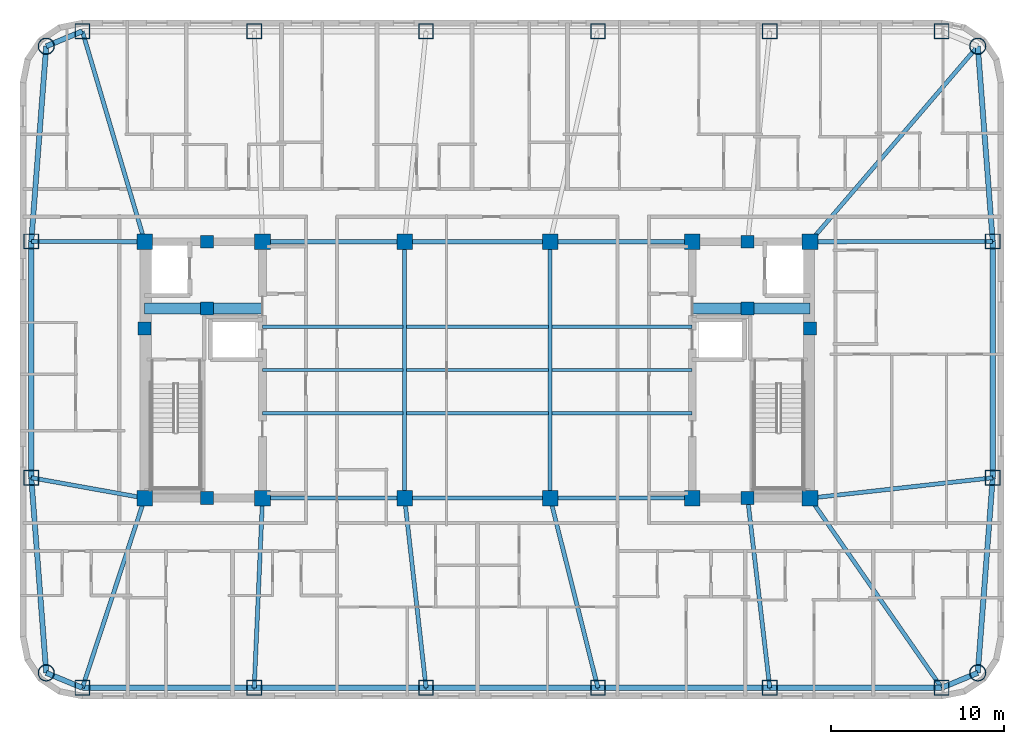
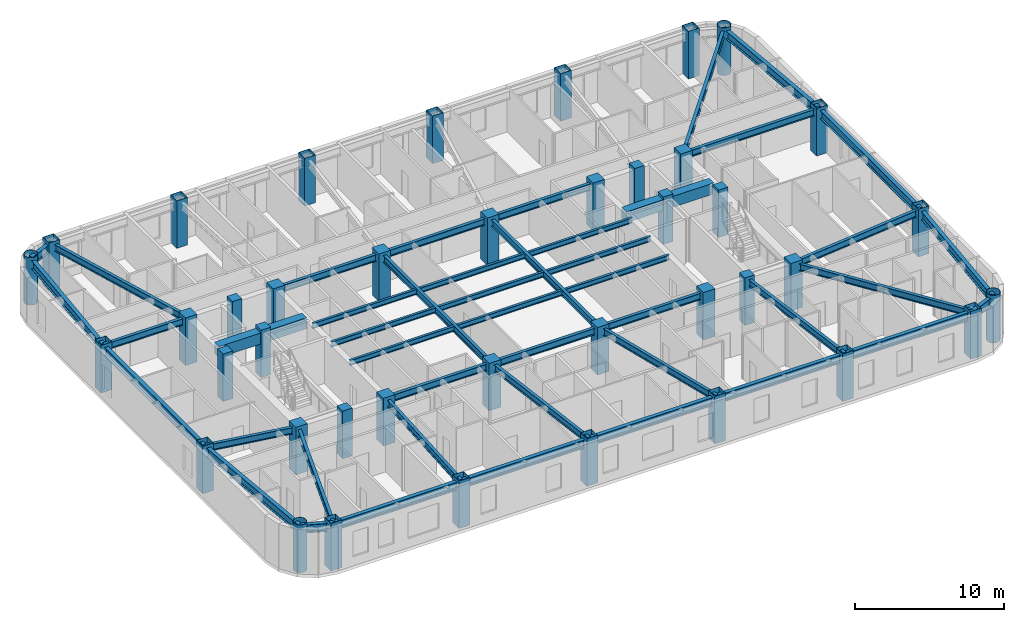
# One storey, part 1 of 11: 45 beams, 40 columns.
"""IFC4 building model written with IfcOpenShell, lengths in metres."""

from ifc_helpers import new_model, si_unit, direction, frame, origin, origin_2d, place, context, subcontext, project, spatial, rectangle, hollow_rectangle, hollow_circle, i_section, extrude, material, material_profile, profile_set, type_object, element, save


model = new_model("IFC4")

# Units and contexts
model_context = context("Model", 3, precision=1e-05, world=origin(), true_north=direction((0.0, 1.0)))
body_context = subcontext(model_context, "Body", "Model", "MODEL_VIEW")
ifc_project = project(units=[si_unit("LENGTHUNIT", "METRE"), si_unit("AREAUNIT", "SQUARE_METRE"), si_unit("VOLUMEUNIT", "CUBIC_METRE"), si_unit("PLANEANGLEUNIT", "RADIAN"), si_unit("MASSUNIT", "GRAM", prefix="KILO")], contexts=[model_context])

# Site, building, storey
site_placement = place(None, origin())
site = spatial("IfcSite", under=ifc_project, at=site_placement, CompositionType="ELEMENT")
building_placement = place(site_placement, origin())
building = spatial("IfcBuilding", under=site, at=building_placement, Name="Voryun Gate Residences", CompositionType="ELEMENT")
storey_placement = place(building_placement, frame((0.0, 0.0, 239.199951171875)))
storey = spatial("IfcBuildingStorey", under=building, at=storey_placement, Name="L59", CompositionType="ELEMENT", Elevation=239.199951171875)

# Columns
ifc_material_1 = material(Name="Concrete C50/60", Category="concrete")
ifc_material_profile_1 = material_profile(ifc_material_1, rectangle(XDim=0.75, YDim=0.75, at=origin_2d()), Name="RC-750x750")
ifc_profile_set_1 = profile_set([ifc_material_profile_1], Name="Concrete C50/60")
column_type_1 = type_object("IfcColumnType", Name="COL_CORE_750", PredefinedType="COLUMN", material=ifc_profile_set_1)
for number, where, z_axis, x_axis, name in (
    (1, (-19.199951171875, 2.39990234375, 0.0), (0.0, 0.0, 1.0), (1.0, 0.0, 0.0), "L59 Core boundary column WC-MW"),
    (2, (-15.60009765625, -7.39990234375, 0.0), (0.0, 0.0, 1.0), (1.0, 0.0, 0.0), "L59 Core boundary column WC-SM"),
    (3, (-15.60009765625, 7.39990234375, 0.0), (0.0, 0.0, 1.0), (1.0, 0.0, 0.0), "L59 Core boundary column WC-NM"),
    (4, (-15.60009765625, 3.550048828125, 0.0), (0.0, 0.0, 1.0), (1.0, 0.0, 0.0), "L59 Core boundary column WC-MM"),
    (5, (15.60009765625, 3.550048828125, 0.0), (0.0, 0.0, 1.0), (1.0, 0.0, 0.0), "L59 Core boundary column EC-MM"),
    (6, (15.60009765625, -7.39990234375, 0.0), (0.0, 0.0, 1.0), (1.0, 0.0, 0.0), "L59 Core boundary column EC-SM"),
    (7, (15.60009765625, 7.39990234375, 0.0), (0.0, 0.0, 1.0), (1.0, 0.0, 0.0), "L59 Core boundary column EC-NM"),
    (8, (19.199951171875, 2.39990234375, 0.0), (0.0, 0.0, 1.0), (1.0, 0.0, 0.0), "L59 Core boundary column EC-ME"),
):
    element("IfcColumn", number, at=place(storey_placement, frame(where, z_axis=z_axis, x_axis=x_axis)), inside=storey, type_object=column_type_1, Name=name, PredefinedType="COLUMN", context=body_context, shape_type="SweptSolid", body=[
        extrude(rectangle(XDim=0.75, YDim=0.75, at=origin_2d()), origin(), (0.0, 0.0, 1.0), 3.900146484375),
    ])
ifc_material_2 = material(Name="Concrete C50/60", Category="concrete")
ifc_material_profile_2 = material_profile(ifc_material_2, rectangle(XDim=0.89990234375, YDim=0.89990234375, at=origin_2d()), Name="RC-900x900")
ifc_profile_set_2 = profile_set([ifc_material_profile_2], Name="Concrete C50/60")
column_type_2 = type_object("IfcColumnType", Name="COL_CORE_900", PredefinedType="COLUMN", material=ifc_profile_set_2)
for number, where, z_axis, x_axis, name in (
    (9, (-19.199951171875, -7.39990234375, 0.0), (0.0, 0.0, 1.0), (1.0, 0.0, 0.0), "L59 Core boundary column WC-SW"),
    (10, (-19.199951171875, 7.39990234375, 0.0), (0.0, 0.0, 1.0), (1.0, 0.0, 0.0), "L59 Core boundary column WC-NW"),
    (11, (-12.39990234375, -7.39990234375, 0.0), (0.0, 0.0, 1.0), (1.0, 0.0, 0.0), "L59 Core boundary column WC-SE"),
    (12, (-12.39990234375, 7.39990234375, 0.0), (0.0, 0.0, 1.0), (1.0, 0.0, 0.0), "L59 Core boundary column WC-NE"),
    (13, (12.39990234375, -7.39990234375, 0.0), (0.0, 0.0, 1.0), (1.0, 0.0, 0.0), "L59 Core boundary column EC-SW"),
    (14, (12.39990234375, 7.39990234375, 0.0), (0.0, 0.0, 1.0), (1.0, 0.0, 0.0), "L59 Core boundary column EC-NW"),
    (15, (19.199951171875, -7.39990234375, 0.0), (0.0, 0.0, 1.0), (1.0, 0.0, 0.0), "L59 Core boundary column EC-SE"),
    (16, (19.199951171875, 7.39990234375, 0.0), (0.0, 0.0, 1.0), (1.0, 0.0, 0.0), "L59 Core boundary column EC-NE"),
    (17, (-4.199951171875, -7.39990234375, 0.0), (0.0, 0.0, 1.0), (1.0, 0.0, 0.0), "L59 Interior spine column SP-WS"),
    (18, (-4.199951171875, 7.39990234375, 0.0), (0.0, 0.0, 1.0), (1.0, 0.0, 0.0), "L59 Interior spine column SP-WN"),
    (19, (4.199951171875, -7.39990234375, 0.0), (0.0, 0.0, 1.0), (1.0, 0.0, 0.0), "L59 Interior spine column SP-ES"),
    (20, (4.199951171875, 7.39990234375, 0.0), (0.0, 0.0, 1.0), (1.0, 0.0, 0.0), "L59 Interior spine column SP-EN"),
):
    element("IfcColumn", number, at=place(storey_placement, frame(where, z_axis=z_axis, x_axis=x_axis)), inside=storey, type_object=column_type_2, Name=name, PredefinedType="COLUMN", context=body_context, shape_type="SweptSolid", body=[
        extrude(rectangle(XDim=0.89990234375, YDim=0.89990234375, at=origin_2d()), origin(), (0.0, 0.0, 1.0), 3.900146484375),
    ])
ifc_material_3 = material(Name="Steel SM420", Category="steel")
ifc_material_profile_3 = material_profile(ifc_material_3, hollow_circle(Radius=0.47509765625, WallThickness=0.031982421875, at=origin_2d()), Name="CHS-950x32")
ifc_profile_set_3 = profile_set([ifc_material_profile_3], Name="Steel SM420")
column_type_3 = type_object("IfcColumnType", Name="COL_CRN_950", PredefinedType="COLUMN", material=ifc_profile_set_3)
for number, where, z_axis, x_axis, name in (
    (21, (28.885986328125, -17.486083984375, 0.0), (0.0, 0.0, 1.0), (1.0, 0.0, 0.0), "L59 Exoskeleton column CSE"),
    (22, (28.885986328125, 18.68603515625, 0.0), (0.0, 0.0, 1.0), (1.0, 0.0, 0.0), "L59 Exoskeleton column CNE"),
    (23, (-24.885986328125, 18.68603515625, 0.0), (0.0, 0.0, 1.0), (1.0, 0.0, 0.0), "L59 Exoskeleton column CNW"),
    (24, (-24.885986328125, -17.486083984375, 0.0), (0.0, 0.0, 1.0), (1.0, 0.0, 0.0), "L59 Exoskeleton column CSW"),
):
    element("IfcColumn", number, at=place(storey_placement, frame(where, z_axis=z_axis, x_axis=x_axis)), inside=storey, type_object=column_type_3, Name=name, PredefinedType="COLUMN", context=body_context, shape_type="SweptSolid", body=[
        extrude(hollow_circle(Radius=0.47509765625, WallThickness=0.031982421875, at=origin_2d()), origin(), (0.0, 0.0, 1.0), 3.900146484375),
    ])
ifc_material_4 = material(Name="Steel SM355", Category="steel")
ifc_material_profile_4 = material_profile(ifc_material_4, hollow_rectangle(XDim=0.85009765625, YDim=0.85009765625, WallThickness=0.028076171875, at=origin_2d()), Name="BOX-850x850x28")
ifc_profile_set_4 = profile_set([ifc_material_profile_4], Name="Steel SM355")
column_type_4 = type_object("IfcColumnType", Name="COL_EXO_B4", PredefinedType="COLUMN", material=ifc_profile_set_4)
for number, where, z_axis, x_axis, name in (
    (25, (-22.800048828125, -18.35009765625, 0.0), (0.0, 0.0, 1.0), (1.0, 0.0, 0.0), "L59 Exoskeleton column S1"),
    (26, (-12.8798828125, -18.35009765625, 0.0), (0.0, 0.0, 1.0), (1.0, 0.0, 0.0), "L59 Exoskeleton column S2"),
    (27, (-2.9599609375, -18.35009765625, 0.0), (0.0, 0.0, 1.0), (1.0, 0.0, 0.0), "L59 Exoskeleton column S3"),
    (28, (6.9599609375, -18.35009765625, 0.0), (0.0, 0.0, 1.0), (1.0, 0.0, 0.0), "L59 Exoskeleton column S4"),
    (29, (16.8798828125, -18.35009765625, 0.0), (0.0, 0.0, 1.0), (1.0, 0.0, 0.0), "L59 Exoskeleton column S5"),
    (30, (26.800048828125, -18.35009765625, 0.0), (0.0, 0.0, 1.0), (1.0, 0.0, 0.0), "L59 Exoskeleton column S6"),
    (31, (29.75, -6.221923828125, 0.0), (0.0, 0.0, 1.0), (1.0, 0.0, 0.0), "L59 Exoskeleton column E1"),
    (32, (29.75, 7.422119140625, 0.0), (0.0, 0.0, 1.0), (1.0, 0.0, 0.0), "L59 Exoskeleton column E2"),
    (33, (26.800048828125, 19.550048828125, 0.0), (0.0, 0.0, 1.0), (1.0, 0.0, 0.0), "L59 Exoskeleton column N1"),
    (34, (16.8798828125, 19.550048828125, 0.0), (0.0, 0.0, 1.0), (1.0, 0.0, 0.0), "L59 Exoskeleton column N2"),
    (35, (6.9599609375, 19.550048828125, 0.0), (0.0, 0.0, 1.0), (1.0, 0.0, 0.0), "L59 Exoskeleton column N3"),
    (36, (-2.9599609375, 19.550048828125, 0.0), (0.0, 0.0, 1.0), (1.0, 0.0, 0.0), "L59 Exoskeleton column N4"),
    (37, (-12.8798828125, 19.550048828125, 0.0), (0.0, 0.0, 1.0), (1.0, 0.0, 0.0), "L59 Exoskeleton column N5"),
    (38, (-22.800048828125, 19.550048828125, 0.0), (0.0, 0.0, 1.0), (1.0, 0.0, 0.0), "L59 Exoskeleton column N6"),
    (39, (-25.75, 7.422119140625, 0.0), (0.0, 0.0, 1.0), (1.0, 0.0, 0.0), "L59 Exoskeleton column W1"),
    (40, (-25.75, -6.221923828125, 0.0), (0.0, 0.0, 1.0), (1.0, 0.0, 0.0), "L59 Exoskeleton column W2"),
):
    element("IfcColumn", number, at=place(storey_placement, frame(where, z_axis=z_axis, x_axis=x_axis)), inside=storey, type_object=column_type_4, Name=name, PredefinedType="COLUMN", context=body_context, shape_type="SweptSolid", body=[
        extrude(hollow_rectangle(XDim=0.85009765625, YDim=0.85009765625, WallThickness=0.028076171875, at=origin_2d()), origin(), (0.0, 0.0, 1.0), 3.900146484375),
    ])

# Beams
ifc_material_5 = material(Name="Concrete C60/75", Category="concrete")
ifc_material_profile_5 = material_profile(ifc_material_5, rectangle(XDim=0.64990234375, YDim=0.89990234375, at=origin_2d()), Name="RC-650x900")
ifc_profile_set_5 = profile_set([ifc_material_profile_5], Name="Concrete C60/75")
beam_type_1 = type_object("IfcBeamType", Name="BM_COUP_RC900", PredefinedType="LINTEL", material=ifc_profile_set_5)
for number, where, z_axis, x_axis, name in (
    (41, (-19.199951171875, 3.550048828125, 3.199951171875), (1.0, 0.0, 0.0), (0.0, 1.0, 0.0), "BM-L59-WC1"),
    (42, (12.39990234375, 3.550048828125, 3.199951171875), (1.0, 0.0, 0.0), (0.0, 1.0, 0.0), "BM-L59-EC1"),
):
    element("IfcBeam", number, at=place(storey_placement, frame(where, z_axis=z_axis, x_axis=x_axis)), inside=storey, type_object=beam_type_1, Name=name, PredefinedType="LINTEL", context=body_context, shape_type="SweptSolid", body=[
        extrude(rectangle(XDim=0.64990234375, YDim=0.89990234375, at=origin_2d()), origin(), (0.0, 0.0, 1.0), 6.800048828125),
    ])
ifc_material_6 = material(Name="Steel SM355", Category="steel")
ifc_material_profile_6 = material_profile(ifc_material_6, i_section(OverallWidth=0.300048828125, OverallDepth=0.679931640625, WebThickness=0.013916015625, FlangeThickness=0.02490234375, FilletRadius=0.01806640625, at=origin_2d()), Name="H-680x300x14x25")
ifc_profile_set_6 = profile_set([ifc_material_profile_6], Name="Steel SM355")
beam_type_2 = type_object("IfcBeamType", Name="BM_EXO_SPANDREL_M", PredefinedType="SPANDREL", material=ifc_profile_set_6)
beam_1_placement = place(storey_placement, frame((-22.800048828125, -18.35009765625, 3.31005859375), z_axis=(1.0, 0.0, 0.0), x_axis=(0.0, 1.0, 0.0)))
element("IfcBeam", 43, at=beam_1_placement, inside=storey, type_object=beam_type_2, Name="BM-L59-SPAND-01", PredefinedType="SPANDREL", context=body_context, shape_type="SweptSolid", body=[
    extrude(i_section(OverallWidth=0.300048828125, OverallDepth=0.679931640625, WebThickness=0.013916015625, FlangeThickness=0.02490234375, FilletRadius=0.01806640625, at=origin_2d()), origin(), (0.0, 0.0, 1.0), 9.920166015625),
])
for number, where, z_axis, x_axis, name in (
    (44, (-12.8798828125, -18.35009765625, 3.31005859375), (1.0, 0.0, 0.0), (0.0, 1.0, 0.0), "BM-L59-SPAND-02"),
    (45, (-2.9599609375, -18.35009765625, 3.31005859375), (1.0, 0.0, 0.0), (0.0, 1.0, 0.0), "BM-L59-SPAND-03"),
    (46, (6.9599609375, -18.35009765625, 3.31005859375), (1.0, 0.0, 0.0), (0.0, 1.0, 0.0), "BM-L59-SPAND-04"),
):
    element("IfcBeam", number, at=place(storey_placement, frame(where, z_axis=z_axis, x_axis=x_axis)), inside=storey, type_object=beam_type_2, Name=name, PredefinedType="SPANDREL", context=body_context, shape_type="SweptSolid", body=[
        extrude(i_section(OverallWidth=0.300048828125, OverallDepth=0.679931640625, WebThickness=0.013916015625, FlangeThickness=0.02490234375, FilletRadius=0.01806640625, at=origin_2d()), origin(), (0.0, 0.0, 1.0), 9.919921875),
    ])
beam_2_placement = place(storey_placement, frame((16.8798828125, -18.35009765625, 3.31005859375), z_axis=(1.0, 0.0, 0.0), x_axis=(0.0, 1.0, 0.0)))
element("IfcBeam", 47, at=beam_2_placement, inside=storey, type_object=beam_type_2, Name="BM-L59-SPAND-05", PredefinedType="SPANDREL", context=body_context, shape_type="SweptSolid", body=[
    extrude(i_section(OverallWidth=0.300048828125, OverallDepth=0.679931640625, WebThickness=0.013916015625, FlangeThickness=0.02490234375, FilletRadius=0.01806640625, at=origin_2d()), origin(), (0.0, 0.0, 1.0), 9.920166015625),
])
beam_3_placement = place(storey_placement, frame((26.800048828125, -18.35009765625, 3.31005859375), z_axis=(0.923881087602, 0.382679678022, 0.0), x_axis=(-0.382679678022, 0.923881087602, 0.0)))
element("IfcBeam", 48, at=beam_3_placement, inside=storey, type_object=beam_type_2, Name="BM-L59-SPAND-06", PredefinedType="SPANDREL", context=body_context, shape_type="SweptSolid", body=[
    extrude(i_section(OverallWidth=0.300048828125, OverallDepth=0.679931640625, WebThickness=0.013916015625, FlangeThickness=0.02490234375, FilletRadius=0.01806640625, at=origin_2d()), origin(), (0.0, 0.0, 1.0), 2.2578125),
])
beam_4_placement = place(storey_placement, frame((28.885986328125, -17.486083984375, 3.31005859375), z_axis=(0.076480009441, 0.997071114894, 0.0), x_axis=(-0.997071114894, 0.076480009441, 0.0)))
element("IfcBeam", 49, at=beam_4_placement, inside=storey, type_object=beam_type_2, Name="BM-L59-SPAND-07", PredefinedType="SPANDREL", context=body_context, shape_type="SweptSolid", body=[
    extrude(i_section(OverallWidth=0.300048828125, OverallDepth=0.679931640625, WebThickness=0.013916015625, FlangeThickness=0.02490234375, FilletRadius=0.01806640625, at=origin_2d()), origin(), (0.0, 0.0, 1.0), 11.29736328125),
])
beam_5_placement = place(storey_placement, frame((29.75, -6.221923828125, 3.31005859375), z_axis=(0.0, 1.0, 0.0), x_axis=(-1.0, 0.0, 0.0)))
element("IfcBeam", 50, at=beam_5_placement, inside=storey, type_object=beam_type_2, Name="BM-L59-SPAND-08", PredefinedType="SPANDREL", context=body_context, shape_type="SweptSolid", body=[
    extrude(i_section(OverallWidth=0.300048828125, OverallDepth=0.679931640625, WebThickness=0.013916015625, FlangeThickness=0.02490234375, FilletRadius=0.01806640625, at=origin_2d()), origin(), (0.0, 0.0, 1.0), 13.64404296875),
])
beam_6_placement = place(storey_placement, frame((29.75, 7.422119140625, 3.31005859375), z_axis=(-0.076481657417, 0.997070988485, 0.0), x_axis=(-0.997070988485, -0.076481657417, 0.0)))
element("IfcBeam", 51, at=beam_6_placement, inside=storey, type_object=beam_type_2, Name="BM-L59-SPAND-09", PredefinedType="SPANDREL", context=body_context, shape_type="SweptSolid", body=[
    extrude(i_section(OverallWidth=0.300048828125, OverallDepth=0.679931640625, WebThickness=0.013916015625, FlangeThickness=0.02490234375, FilletRadius=0.01806640625, at=origin_2d()), origin(), (0.0, 0.0, 1.0), 11.297119140625),
])
beam_7_placement = place(storey_placement, frame((-22.800048828125, 19.550048828125, 3.31005859375), z_axis=(-0.923881087602, -0.382679678022, 0.0), x_axis=(0.382679678022, -0.923881087602, 0.0)))
element("IfcBeam", 52, at=beam_7_placement, inside=storey, type_object=beam_type_2, Name="BM-L59-SPAND-16", PredefinedType="SPANDREL", context=body_context, shape_type="SweptSolid", body=[
    extrude(i_section(OverallWidth=0.300048828125, OverallDepth=0.679931640625, WebThickness=0.013916015625, FlangeThickness=0.02490234375, FilletRadius=0.01806640625, at=origin_2d()), origin(), (0.0, 0.0, 1.0), 2.2578125),
])
beam_8_placement = place(storey_placement, frame((-24.885986328125, 18.68603515625, 3.31005859375), z_axis=(-0.076481657417, -0.997070988485, 0.0), x_axis=(0.997070988485, -0.076481657417, 0.0)))
element("IfcBeam", 53, at=beam_8_placement, inside=storey, type_object=beam_type_2, Name="BM-L59-SPAND-17", PredefinedType="SPANDREL", context=body_context, shape_type="SweptSolid", body=[
    extrude(i_section(OverallWidth=0.300048828125, OverallDepth=0.679931640625, WebThickness=0.013916015625, FlangeThickness=0.02490234375, FilletRadius=0.01806640625, at=origin_2d()), origin(), (0.0, 0.0, 1.0), 11.297119140625),
])
beam_9_placement = place(storey_placement, frame((-25.75, 7.422119140625, 3.31005859375), z_axis=(0.0, -1.0, 0.0), x_axis=(1.0, 0.0, 0.0)))
element("IfcBeam", 54, at=beam_9_placement, inside=storey, type_object=beam_type_2, Name="BM-L59-SPAND-18", PredefinedType="SPANDREL", context=body_context, shape_type="SweptSolid", body=[
    extrude(i_section(OverallWidth=0.300048828125, OverallDepth=0.679931640625, WebThickness=0.013916015625, FlangeThickness=0.02490234375, FilletRadius=0.01806640625, at=origin_2d()), origin(), (0.0, 0.0, 1.0), 13.64404296875),
])
beam_10_placement = place(storey_placement, frame((-25.75, -6.221923828125, 3.31005859375), z_axis=(0.076480009441, -0.997071114894, 0.0), x_axis=(0.997071114894, 0.076480009441, 0.0)))
element("IfcBeam", 55, at=beam_10_placement, inside=storey, type_object=beam_type_2, Name="BM-L59-SPAND-19", PredefinedType="SPANDREL", context=body_context, shape_type="SweptSolid", body=[
    extrude(i_section(OverallWidth=0.300048828125, OverallDepth=0.679931640625, WebThickness=0.013916015625, FlangeThickness=0.02490234375, FilletRadius=0.01806640625, at=origin_2d()), origin(), (0.0, 0.0, 1.0), 11.29736328125),
])
beam_11_placement = place(storey_placement, frame((-24.885986328125, -17.486083984375, 3.31005859375), z_axis=(0.923881087602, -0.382679678022, 0.0), x_axis=(0.382679678022, 0.923881087602, 0.0)))
element("IfcBeam", 56, at=beam_11_placement, inside=storey, type_object=beam_type_2, Name="BM-L59-SPAND-20", PredefinedType="SPANDREL", context=body_context, shape_type="SweptSolid", body=[
    extrude(i_section(OverallWidth=0.300048828125, OverallDepth=0.679931640625, WebThickness=0.013916015625, FlangeThickness=0.02490234375, FilletRadius=0.01806640625, at=origin_2d()), origin(), (0.0, 0.0, 1.0), 2.2578125),
])
ifc_material_7 = material(Name="Steel SM355", Category="steel")
ifc_material_profile_7 = material_profile(ifc_material_7, i_section(OverallWidth=0.239990234375, OverallDepth=0.550048828125, WebThickness=0.011962890625, FlangeThickness=0.02001953125, FilletRadius=0.01806640625, at=origin_2d()), Name="H-550x240x12x20")
ifc_profile_set_7 = profile_set([ifc_material_profile_7], Name="Steel SM355")
beam_type_3 = type_object("IfcBeamType", Name="BM_GIRD_550", PredefinedType="USERDEFINED", material=ifc_profile_set_7)
beam_12_placement = place(storey_placement, frame((-12.39990234375, -7.39990234375, 3.375), z_axis=(1.0, 0.0, 0.0), x_axis=(0.0, 1.0, 0.0)))
element("IfcBeam", 57, at=beam_12_placement, inside=storey, type_object=beam_type_3, Name="BM-L59-SPG1-S", ObjectType="GIRDER", PredefinedType="USERDEFINED", context=body_context, shape_type="SweptSolid", body=[
    extrude(i_section(OverallWidth=0.239990234375, OverallDepth=0.550048828125, WebThickness=0.011962890625, FlangeThickness=0.02001953125, FilletRadius=0.01806640625, at=origin_2d()), origin(), (0.0, 0.0, 1.0), 8.199951171875),
])
beam_13_placement = place(storey_placement, frame((-4.199951171875, -7.39990234375, 3.375), z_axis=(1.0, 0.0, 0.0), x_axis=(0.0, 1.0, 0.0)))
element("IfcBeam", 58, at=beam_13_placement, inside=storey, type_object=beam_type_3, Name="BM-L59-SPG2-S", ObjectType="GIRDER", PredefinedType="USERDEFINED", context=body_context, shape_type="SweptSolid", body=[
    extrude(i_section(OverallWidth=0.239990234375, OverallDepth=0.550048828125, WebThickness=0.011962890625, FlangeThickness=0.02001953125, FilletRadius=0.01806640625, at=origin_2d()), origin(), (0.0, 0.0, 1.0), 8.39990234375),
])
for number, where, z_axis, x_axis, name in (
    (59, (4.199951171875, -7.39990234375, 3.375), (1.0, 0.0, 0.0), (0.0, 1.0, 0.0), "BM-L59-SPG3-S"),
    (60, (-12.39990234375, 7.39990234375, 3.375), (1.0, 0.0, 0.0), (0.0, 1.0, 0.0), "BM-L59-SPG1-N"),
):
    element("IfcBeam", number, at=place(storey_placement, frame(where, z_axis=z_axis, x_axis=x_axis)), inside=storey, type_object=beam_type_3, Name=name, ObjectType="GIRDER", PredefinedType="USERDEFINED", context=body_context, shape_type="SweptSolid", body=[
        extrude(i_section(OverallWidth=0.239990234375, OverallDepth=0.550048828125, WebThickness=0.011962890625, FlangeThickness=0.02001953125, FilletRadius=0.01806640625, at=origin_2d()), origin(), (0.0, 0.0, 1.0), 8.199951171875),
    ])
beam_14_placement = place(storey_placement, frame((-4.199951171875, 7.39990234375, 3.375), z_axis=(1.0, 0.0, 0.0), x_axis=(0.0, 1.0, 0.0)))
element("IfcBeam", 61, at=beam_14_placement, inside=storey, type_object=beam_type_3, Name="BM-L59-SPG2-N", ObjectType="GIRDER", PredefinedType="USERDEFINED", context=body_context, shape_type="SweptSolid", body=[
    extrude(i_section(OverallWidth=0.239990234375, OverallDepth=0.550048828125, WebThickness=0.011962890625, FlangeThickness=0.02001953125, FilletRadius=0.01806640625, at=origin_2d()), origin(), (0.0, 0.0, 1.0), 8.39990234375),
])
beam_15_placement = place(storey_placement, frame((4.199951171875, 7.39990234375, 3.375), z_axis=(1.0, 0.0, 0.0), x_axis=(0.0, 1.0, 0.0)))
element("IfcBeam", 62, at=beam_15_placement, inside=storey, type_object=beam_type_3, Name="BM-L59-SPG3-N", ObjectType="GIRDER", PredefinedType="USERDEFINED", context=body_context, shape_type="SweptSolid", body=[
    extrude(i_section(OverallWidth=0.239990234375, OverallDepth=0.550048828125, WebThickness=0.011962890625, FlangeThickness=0.02001953125, FilletRadius=0.01806640625, at=origin_2d()), origin(), (0.0, 0.0, 1.0), 8.199951171875),
])
for number, where, z_axis, x_axis, name in (
    (63, (-4.199951171875, -7.39990234375, 3.375), (0.0, 1.0, 0.0), (-1.0, 0.0, 0.0), "BM-L59-SPX-W"),
    (64, (4.199951171875, -7.39990234375, 3.375), (0.0, 1.0, 0.0), (-1.0, 0.0, 0.0), "BM-L59-SPX-E"),
):
    element("IfcBeam", number, at=place(storey_placement, frame(where, z_axis=z_axis, x_axis=x_axis)), inside=storey, type_object=beam_type_3, Name=name, ObjectType="GIRDER", PredefinedType="USERDEFINED", context=body_context, shape_type="SweptSolid", body=[
        extrude(i_section(OverallWidth=0.239990234375, OverallDepth=0.550048828125, WebThickness=0.011962890625, FlangeThickness=0.02001953125, FilletRadius=0.01806640625, at=origin_2d()), origin(), (0.0, 0.0, 1.0), 14.7998046875),
    ])
beam_16_placement = place(storey_placement, frame((-19.199951171875, -7.39990234375, 3.375), z_axis=(-0.312323693326, -0.949975742104, 0.0), x_axis=(0.949975742104, -0.312323693326, 0.0)))
element("IfcBeam", 65, at=beam_16_placement, inside=storey, type_object=beam_type_3, Name="BM-L59-RAD-S1", ObjectType="GIRDER", PredefinedType="USERDEFINED", context=body_context, shape_type="SweptSolid", body=[
    extrude(i_section(OverallWidth=0.239990234375, OverallDepth=0.550048828125, WebThickness=0.011962890625, FlangeThickness=0.02001953125, FilletRadius=0.01806640625, at=origin_2d()), origin(), (0.0, 0.0, 1.0), 11.52685546875),
])
beam_17_placement = place(storey_placement, frame((-12.39990234375, -7.39990234375, 3.375), z_axis=(-0.043791002488, -0.999040713936, 0.0), x_axis=(0.999040713936, -0.043791002488, 0.0)))
element("IfcBeam", 66, at=beam_17_placement, inside=storey, type_object=beam_type_3, Name="BM-L59-RAD-S2", ObjectType="GIRDER", PredefinedType="USERDEFINED", context=body_context, shape_type="SweptSolid", body=[
    extrude(i_section(OverallWidth=0.239990234375, OverallDepth=0.550048828125, WebThickness=0.011962890625, FlangeThickness=0.02001953125, FilletRadius=0.01806640625, at=origin_2d()), origin(), (0.0, 0.0, 1.0), 10.960693359375),
])
beam_18_placement = place(storey_placement, frame((-4.199951171875, -7.39990234375, 3.375), z_axis=(0.112519968476, -0.993649463691, 0.0), x_axis=(0.993649463691, 0.112519968476, 0.0)))
element("IfcBeam", 67, at=beam_18_placement, inside=storey, type_object=beam_type_3, Name="BM-L59-RAD-S3", ObjectType="GIRDER", PredefinedType="USERDEFINED", context=body_context, shape_type="SweptSolid", body=[
    extrude(i_section(OverallWidth=0.239990234375, OverallDepth=0.550048828125, WebThickness=0.011962890625, FlangeThickness=0.02001953125, FilletRadius=0.01806640625, at=origin_2d()), origin(), (0.0, 0.0, 1.0), 11.020263671875),
])
beam_19_placement = place(storey_placement, frame((4.199951171875, -7.39990234375, 3.375), z_axis=(0.24440715799, -0.969672697936, 0.0), x_axis=(0.969672697936, 0.24440715799, 0.0)))
element("IfcBeam", 68, at=beam_19_placement, inside=storey, type_object=beam_type_3, Name="BM-L59-RAD-S4", ObjectType="GIRDER", PredefinedType="USERDEFINED", context=body_context, shape_type="SweptSolid", body=[
    extrude(i_section(OverallWidth=0.239990234375, OverallDepth=0.550048828125, WebThickness=0.011962890625, FlangeThickness=0.02001953125, FilletRadius=0.01806640625, at=origin_2d()), origin(), (0.0, 0.0, 1.0), 11.292724609375),
])
beam_20_placement = place(storey_placement, frame((15.60009765625, -7.39990234375, 3.375), z_axis=(0.116083150214, -0.993239498931, 0.0), x_axis=(0.993239498931, 0.116083150214, 0.0)))
element("IfcBeam", 69, at=beam_20_placement, inside=storey, type_object=beam_type_3, Name="BM-L59-RAD-S5", ObjectType="GIRDER", PredefinedType="USERDEFINED", context=body_context, shape_type="SweptSolid", body=[
    extrude(i_section(OverallWidth=0.239990234375, OverallDepth=0.550048828125, WebThickness=0.011962890625, FlangeThickness=0.02001953125, FilletRadius=0.01806640625, at=origin_2d()), origin(), (0.0, 0.0, 1.0), 11.024658203125),
])
beam_21_placement = place(storey_placement, frame((19.199951171875, -7.39990234375, 3.375), z_axis=(0.570182975489, -0.821517726201, 0.0), x_axis=(0.821517726201, 0.570182975489, 0.0)))
element("IfcBeam", 70, at=beam_21_placement, inside=storey, type_object=beam_type_3, Name="BM-L59-RAD-S6", ObjectType="GIRDER", PredefinedType="USERDEFINED", context=body_context, shape_type="SweptSolid", body=[
    extrude(i_section(OverallWidth=0.239990234375, OverallDepth=0.550048828125, WebThickness=0.011962890625, FlangeThickness=0.02001953125, FilletRadius=0.01806640625, at=origin_2d()), origin(), (0.0, 0.0, 1.0), 13.329345703125),
])
beam_22_placement = place(storey_placement, frame((19.199951171875, -7.39990234375, 3.375), z_axis=(0.993824131675, 0.110966640486, 0.0), x_axis=(-0.110966640486, 0.993824131675, 0.0)))
element("IfcBeam", 71, at=beam_22_placement, inside=storey, type_object=beam_type_3, Name="BM-L59-RAD-E1", ObjectType="GIRDER", PredefinedType="USERDEFINED", context=body_context, shape_type="SweptSolid", body=[
    extrude(i_section(OverallWidth=0.239990234375, OverallDepth=0.550048828125, WebThickness=0.011962890625, FlangeThickness=0.02001953125, FilletRadius=0.01806640625, at=origin_2d()), origin(), (0.0, 0.0, 1.0), 10.61572265625),
])
beam_23_placement = place(storey_placement, frame((19.199951171875, 7.39990234375, 3.375), z_axis=(0.99999778271, 0.002105843108, 0.0), x_axis=(-0.002105843108, 0.99999778271, 0.0)))
element("IfcBeam", 72, at=beam_23_placement, inside=storey, type_object=beam_type_3, Name="BM-L59-RAD-E2", ObjectType="GIRDER", PredefinedType="USERDEFINED", context=body_context, shape_type="SweptSolid", body=[
    extrude(i_section(OverallWidth=0.239990234375, OverallDepth=0.550048828125, WebThickness=0.011962890625, FlangeThickness=0.02001953125, FilletRadius=0.01806640625, at=origin_2d()), origin(), (0.0, 0.0, 1.0), 10.550048828125),
])
beam_24_placement = place(storey_placement, frame((19.199951171875, 7.39990234375, 3.375), z_axis=(0.651264396721, 0.758850898111, 0.0), x_axis=(-0.758850898111, 0.651264396721, 0.0)))
element("IfcBeam", 73, at=beam_24_placement, inside=storey, type_object=beam_type_3, Name="BM-L59-RAD-CNE", ObjectType="GIRDER", PredefinedType="USERDEFINED", context=body_context, shape_type="SweptSolid", body=[
    extrude(i_section(OverallWidth=0.239990234375, OverallDepth=0.550048828125, WebThickness=0.011962890625, FlangeThickness=0.02001953125, FilletRadius=0.01806640625, at=origin_2d()), origin(), (0.0, 0.0, 1.0), 14.87255859375),
])
beam_25_placement = place(storey_placement, frame((-19.199951171875, 7.39990234375, 3.375), z_axis=(-0.284092265434, 0.958796946553, 0.0), x_axis=(-0.958796946553, -0.284092265434, 0.0)))
element("IfcBeam", 74, at=beam_25_placement, inside=storey, type_object=beam_type_3, Name="BM-L59-RAD-N6", ObjectType="GIRDER", PredefinedType="USERDEFINED", context=body_context, shape_type="SweptSolid", body=[
    extrude(i_section(OverallWidth=0.239990234375, OverallDepth=0.550048828125, WebThickness=0.011962890625, FlangeThickness=0.02001953125, FilletRadius=0.01806640625, at=origin_2d()), origin(), (0.0, 0.0, 1.0), 12.67236328125),
])
beam_26_placement = place(storey_placement, frame((-19.199951171875, 7.39990234375, 3.375), z_axis=(-0.999994247719, 0.003391832589, 0.0), x_axis=(-0.003391832589, -0.999994247719, 0.0)))
element("IfcBeam", 75, at=beam_26_placement, inside=storey, type_object=beam_type_3, Name="BM-L59-RAD-W1", ObjectType="GIRDER", PredefinedType="USERDEFINED", context=body_context, shape_type="SweptSolid", body=[
    extrude(i_section(OverallWidth=0.239990234375, OverallDepth=0.550048828125, WebThickness=0.011962890625, FlangeThickness=0.02001953125, FilletRadius=0.01806640625, at=origin_2d()), origin(), (0.0, 0.0, 1.0), 6.550048828125),
])
beam_27_placement = place(storey_placement, frame((-19.199951171875, -7.39990234375, 3.375), z_axis=(-0.984210303638, 0.177003045773, 0.0), x_axis=(-0.177003045773, -0.984210303638, 0.0)))
element("IfcBeam", 76, at=beam_27_placement, inside=storey, type_object=beam_type_3, Name="BM-L59-RAD-W2", ObjectType="GIRDER", PredefinedType="USERDEFINED", context=body_context, shape_type="SweptSolid", body=[
    extrude(i_section(OverallWidth=0.239990234375, OverallDepth=0.550048828125, WebThickness=0.011962890625, FlangeThickness=0.02001953125, FilletRadius=0.01806640625, at=origin_2d()), origin(), (0.0, 0.0, 1.0), 6.655029296875),
])
ifc_material_8 = material(Name="Steel SM355", Category="steel")
ifc_material_profile_8 = material_profile(ifc_material_8, i_section(OverallWidth=0.18994140625, OverallDepth=0.419921875, WebThickness=0.009033203125, FlangeThickness=0.01611328125, FilletRadius=0.01806640625, at=origin_2d()), Name="H-420x190x9x16")
ifc_profile_set_8 = profile_set([ifc_material_profile_8], Name="Steel SM355")
beam_type_4 = type_object("IfcBeamType", Name="BM_SEC_420", PredefinedType="BEAM", material=ifc_profile_set_8)
beam_28_placement = place(storey_placement, frame((-12.39990234375, -2.5, 3.43994140625), z_axis=(1.0, 0.0, 0.0), x_axis=(0.0, 1.0, 0.0)))
element("IfcBeam", 77, at=beam_28_placement, inside=storey, type_object=beam_type_4, Name="BM-L59-SEC-CS1", PredefinedType="BEAM", context=body_context, shape_type="SweptSolid", body=[
    extrude(i_section(OverallWidth=0.18994140625, OverallDepth=0.419921875, WebThickness=0.009033203125, FlangeThickness=0.01611328125, FilletRadius=0.01806640625, at=origin_2d()), origin(), (0.0, 0.0, 1.0), 8.099853515625),
])
beam_29_placement = place(storey_placement, frame((-4.10009765625, -2.5, 3.43994140625), z_axis=(1.0, 0.0, 0.0), x_axis=(0.0, 1.0, 0.0)))
element("IfcBeam", 78, at=beam_29_placement, inside=storey, type_object=beam_type_4, Name="BM-L59-SEC-CS2", PredefinedType="BEAM", context=body_context, shape_type="SweptSolid", body=[
    extrude(i_section(OverallWidth=0.18994140625, OverallDepth=0.419921875, WebThickness=0.009033203125, FlangeThickness=0.01611328125, FilletRadius=0.01806640625, at=origin_2d()), origin(), (0.0, 0.0, 1.0), 8.2001953125),
])
for number, where, z_axis, x_axis, name in (
    (79, (4.300048828125, -2.5, 3.43994140625), (1.0, 0.0, 0.0), (0.0, 1.0, 0.0), "BM-L59-SEC-CS3"),
    (80, (-12.39990234375, 0.0, 3.43994140625), (1.0, 0.0, 0.0), (0.0, 1.0, 0.0), "BM-L59-SEC-CM1"),
):
    element("IfcBeam", number, at=place(storey_placement, frame(where, z_axis=z_axis, x_axis=x_axis)), inside=storey, type_object=beam_type_4, Name=name, PredefinedType="BEAM", context=body_context, shape_type="SweptSolid", body=[
        extrude(i_section(OverallWidth=0.18994140625, OverallDepth=0.419921875, WebThickness=0.009033203125, FlangeThickness=0.01611328125, FilletRadius=0.01806640625, at=origin_2d()), origin(), (0.0, 0.0, 1.0), 8.099853515625),
    ])
beam_30_placement = place(storey_placement, frame((-4.10009765625, 0.0, 3.43994140625), z_axis=(1.0, 0.0, 0.0), x_axis=(0.0, 1.0, 0.0)))
element("IfcBeam", 81, at=beam_30_placement, inside=storey, type_object=beam_type_4, Name="BM-L59-SEC-CM2", PredefinedType="BEAM", context=body_context, shape_type="SweptSolid", body=[
    extrude(i_section(OverallWidth=0.18994140625, OverallDepth=0.419921875, WebThickness=0.009033203125, FlangeThickness=0.01611328125, FilletRadius=0.01806640625, at=origin_2d()), origin(), (0.0, 0.0, 1.0), 8.2001953125),
])
for number, where, z_axis, x_axis, name in (
    (82, (4.300048828125, 0.0, 3.43994140625), (1.0, 0.0, 0.0), (0.0, 1.0, 0.0), "BM-L59-SEC-CM3"),
    (83, (-12.39990234375, 2.5, 3.43994140625), (1.0, 0.0, 0.0), (0.0, 1.0, 0.0), "BM-L59-SEC-CN1"),
):
    element("IfcBeam", number, at=place(storey_placement, frame(where, z_axis=z_axis, x_axis=x_axis)), inside=storey, type_object=beam_type_4, Name=name, PredefinedType="BEAM", context=body_context, shape_type="SweptSolid", body=[
        extrude(i_section(OverallWidth=0.18994140625, OverallDepth=0.419921875, WebThickness=0.009033203125, FlangeThickness=0.01611328125, FilletRadius=0.01806640625, at=origin_2d()), origin(), (0.0, 0.0, 1.0), 8.099853515625),
    ])
beam_31_placement = place(storey_placement, frame((-4.10009765625, 2.5, 3.43994140625), z_axis=(1.0, 0.0, 0.0), x_axis=(0.0, 1.0, 0.0)))
element("IfcBeam", 84, at=beam_31_placement, inside=storey, type_object=beam_type_4, Name="BM-L59-SEC-CN2", PredefinedType="BEAM", context=body_context, shape_type="SweptSolid", body=[
    extrude(i_section(OverallWidth=0.18994140625, OverallDepth=0.419921875, WebThickness=0.009033203125, FlangeThickness=0.01611328125, FilletRadius=0.01806640625, at=origin_2d()), origin(), (0.0, 0.0, 1.0), 8.2001953125),
])
beam_32_placement = place(storey_placement, frame((4.300048828125, 2.5, 3.43994140625), z_axis=(1.0, 0.0, 0.0), x_axis=(0.0, 1.0, 0.0)))
element("IfcBeam", 85, at=beam_32_placement, inside=storey, type_object=beam_type_4, Name="BM-L59-SEC-CN3", PredefinedType="BEAM", context=body_context, shape_type="SweptSolid", body=[
    extrude(i_section(OverallWidth=0.18994140625, OverallDepth=0.419921875, WebThickness=0.009033203125, FlangeThickness=0.01611328125, FilletRadius=0.01806640625, at=origin_2d()), origin(), (0.0, 0.0, 1.0), 8.099853515625),
])

save(model, "model.ifc")
